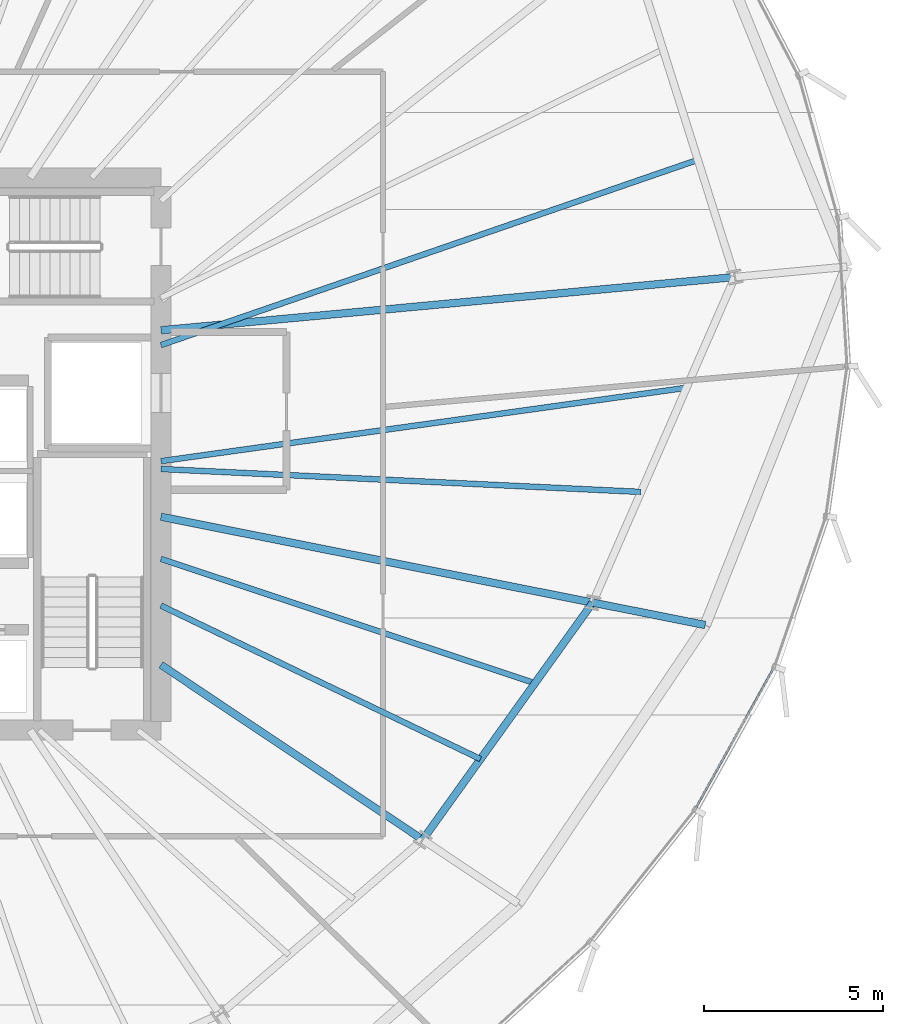
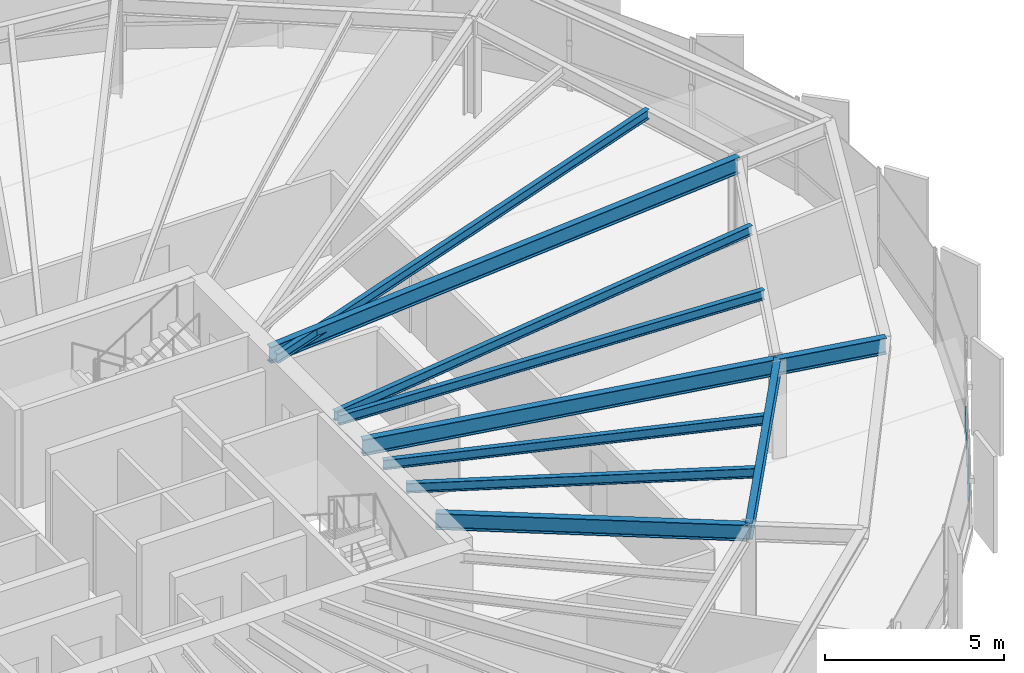
# One storey, part 15 of 35: 10 beams, 1 member, 1 element without a shape of its own.
"""IFC4 building model written with IfcOpenShell, lengths in metres."""

from ifc_helpers import new_model, si_unit, direction, frame, origin, origin_2d, place, context, subcontext, project, spatial, hollow_rectangle, i_section, extrude, source, transform, mapped, material, layer, layer_set, material_profile, profile_set, type_object, element, aggregate, save


model = new_model("IFC4")

# Units and contexts
model_context = context("Model", 3, precision=1e-05, world=origin(), true_north=direction((0.0, 1.0)))
body_context = subcontext(model_context, "Body", "Model", "MODEL_VIEW")
ifc_project = project(units=[si_unit("LENGTHUNIT", "METRE"), si_unit("AREAUNIT", "SQUARE_METRE"), si_unit("VOLUMEUNIT", "CUBIC_METRE"), si_unit("PLANEANGLEUNIT", "RADIAN"), si_unit("MASSUNIT", "GRAM", prefix="KILO"), si_unit("THERMODYNAMICTEMPERATUREUNIT", "KELVIN")], contexts=[model_context])

# Site, building, storey
site_placement = place(None, origin())
site = spatial("IfcSite", under=ifc_project, at=site_placement, CompositionType="ELEMENT")
building_placement = place(site_placement, origin())
building = spatial("IfcBuilding", under=site, at=building_placement, Name="Kethvar Cultural Tower", CompositionType="ELEMENT")
storey_placement = place(building_placement, frame((0.0, 0.0, 121.60009765625)))
storey = spatial("IfcBuildingStorey", under=building, at=storey_placement, Name="L30", CompositionType="ELEMENT", Elevation=121.60009765625)

# Beams
ifc_material_1 = material(Name="Steel S355J2", Category="steel")
ifc_material_profile_1 = material_profile(ifc_material_1, i_section(OverallWidth=0.2099609375, OverallDepth=0.550048828125, WebThickness=0.010986328125, FlangeThickness=0.01708984375, FilletRadius=0.02392578125, at=origin_2d()), Name="Steel S355J2 — IPE550")
ifc_profile_set_1 = profile_set([ifc_material_profile_1], Name="Steel S355J2 — IPE550")
beam_type_1 = type_object("IfcBeamType", Name="BM-IPE550", PredefinedType="BEAM", material=ifc_profile_set_1)
shared_shape_1 = source(origin(), body_context, "Body", "SweptSolid", [
    extrude(i_section(OverallWidth=0.2099609375, OverallDepth=0.550048828125, WebThickness=0.010986328125, FlangeThickness=0.01708984375, FilletRadius=0.02392578125, at=origin_2d()), origin(), (0.0, 0.0, 1.0), 16.071044921875),
])
beam_1_placement = place(storey_placement, frame((55.60009765625, 31.25, 3.072998046875), z_axis=(0.995731009363, 0.092302529718, 0.0), x_axis=(-0.092302529718, 0.995731009363, 0.0)))
element("IfcBeam", 1, at=beam_1_placement, inside=storey, type_object=beam_type_1, Name="L30 Primary Radial Beam RB-01", PredefinedType="BEAM", context=body_context, shape_type="MappedRepresentation", body=[
    mapped(shared_shape_1, transform((0.0, 0.0, 0.0), scale=1.0)),
])
shared_shape_2 = source(origin(), body_context, "Body", "SweptSolid", [
    extrude(i_section(OverallWidth=0.2099609375, OverallDepth=0.550048828125, WebThickness=0.010986328125, FlangeThickness=0.01708984375, FilletRadius=0.02392578125, at=origin_2d()), origin(), (0.0, 0.0, 1.0), 3.199951171875),
])
beam_2_placement = place(storey_placement, frame((67.638671875, 23.65478515625, 3.072998046875), z_axis=(0.980785550224, -0.195088965533, 0.0), x_axis=(0.195088965533, 0.980785550224, 0.0)))
element("IfcBeam", 2, at=beam_2_placement, inside=storey, type_object=beam_type_1, Name="L30 Perimeter Cantilever Beam RC-16", PredefinedType="BEAM", context=body_context, shape_type="MappedRepresentation", body=[
    mapped(shared_shape_2, transform((0.0, 0.0, 0.0), scale=1.0)),
])
shared_shape_3 = source(origin(), body_context, "Body", "SweptSolid", [
    extrude(i_section(OverallWidth=0.2099609375, OverallDepth=0.550048828125, WebThickness=0.010986328125, FlangeThickness=0.01708984375, FilletRadius=0.02392578125, at=origin_2d()), origin(), (0.0, 0.0, 1.0), 8.77783203125),
])
beam_3_placement = place(storey_placement, frame((55.60009765625, 21.919921875, 3.072998046875), z_axis=(0.831472186778, -0.555566380026, 0.0), x_axis=(0.555566380026, 0.831472186778, 0.0)))
element("IfcBeam", 3, at=beam_3_placement, inside=storey, type_object=beam_type_1, Name="L30 Primary Radial Beam RB-15", PredefinedType="BEAM", context=body_context, shape_type="MappedRepresentation", body=[
    mapped(shared_shape_3, transform((0.0, 0.0, 0.0), scale=1.0)),
])
shared_shape_4 = source(origin(), body_context, "Body", "SweptSolid", [
    extrude(i_section(OverallWidth=0.2099609375, OverallDepth=0.550048828125, WebThickness=0.010986328125, FlangeThickness=0.01708984375, FilletRadius=0.02392578125, at=origin_2d()), origin(), (0.0, 0.0, 1.0), 12.2744140625),
])
beam_4_placement = place(storey_placement, frame((55.60009765625, 26.049560546875, 3.072998046875), z_axis=(0.980782878234, -0.195102398146, 0.0), x_axis=(0.195102398146, 0.980782878234, 0.0)))
element("IfcBeam", 4, at=beam_4_placement, inside=storey, type_object=beam_type_1, Name="L30 Primary Radial Beam RB-16", PredefinedType="BEAM", context=body_context, shape_type="MappedRepresentation", body=[
    mapped(shared_shape_4, transform((0.0, 0.0, 0.0), scale=1.0)),
])
ifc_material_profile_2 = material_profile(ifc_material_1, i_section(OverallWidth=0.159912109375, OverallDepth=0.330078125, WebThickness=0.007568359375, FlangeThickness=0.011474609375, FilletRadius=0.01806640625, at=origin_2d()), Name="Steel S355J2 — IPE330")
ifc_profile_set_2 = profile_set([ifc_material_profile_2], Name="Steel S355J2 — IPE330")
beam_type_2 = type_object("IfcBeamType", Name="BM-J330", PredefinedType="JOIST", material=ifc_profile_set_2)
shared_shape_5 = source(origin(), body_context, "Body", "SweptSolid", [
    extrude(i_section(OverallWidth=0.159912109375, OverallDepth=0.330078125, WebThickness=0.007568359375, FlangeThickness=0.011474609375, FilletRadius=0.01806640625, at=origin_2d()), origin(), (0.0, 0.0, 1.0), 15.836669921875),
])
beam_5_placement = place(storey_placement, frame((55.60009765625, 30.836181640625, 3.182861328125), z_axis=(0.945315135904, 0.326158387644, 0.0), x_axis=(-0.326158387644, 0.945315135904, 0.0)))
element("IfcBeam", 5, at=beam_5_placement, inside=storey, type_object=beam_type_2, Name="L30 Composite Floor Joist J-01A", PredefinedType="JOIST", context=body_context, shape_type="MappedRepresentation", body=[
    mapped(shared_shape_5, transform((0.0, 0.0, 0.0), scale=1.0)),
])
shared_shape_6 = source(origin(), body_context, "Body", "SweptSolid", [
    extrude(i_section(OverallWidth=0.2099609375, OverallDepth=0.550048828125, WebThickness=0.010986328125, FlangeThickness=0.01708984375, FilletRadius=0.02392578125, at=origin_2d()), origin(), (0.0, 0.0, 1.0), 8.13525390625),
])
beam_6_placement = place(storey_placement, frame((62.898681640625, 17.043212890625, 3.072998046875), z_axis=(0.582656731995, 0.812718359988, 0.0), x_axis=(-0.812718359988, 0.582656731995, 0.0)))
element("IfcBeam", 6, at=beam_6_placement, inside=storey, type_object=beam_type_1, Name="L30 Column Ring Tie Beam CR-15", PredefinedType="BEAM", context=body_context, shape_type="MappedRepresentation", body=[
    mapped(shared_shape_6, transform((0.0, 0.0, 0.0), scale=1.0)),
])
shared_shape_7 = source(origin(), body_context, "Body", "SweptSolid", [
    extrude(i_section(OverallWidth=0.159912109375, OverallDepth=0.330078125, WebThickness=0.007568359375, FlangeThickness=0.011474609375, FilletRadius=0.01806640625, at=origin_2d()), origin(), (0.0, 0.0, 1.0), 9.885009765625),
])
beam_7_placement = place(storey_placement, frame((55.60009765625, 23.572021484375, 3.182861328125), z_axis=(0.901369611334, -0.43305060185, 0.0), x_axis=(0.43305060185, 0.901369611334, 0.0)))
element("IfcBeam", 7, at=beam_7_placement, inside=storey, type_object=beam_type_2, Name="L30 Composite Floor Joist J-15A", PredefinedType="JOIST", context=body_context, shape_type="MappedRepresentation", body=[
    mapped(shared_shape_7, transform((0.0, 0.0, 0.0), scale=1.0)),
])
shared_shape_8 = source(origin(), body_context, "Body", "SweptSolid", [
    extrude(i_section(OverallWidth=0.159912109375, OverallDepth=0.330078125, WebThickness=0.007568359375, FlangeThickness=0.011474609375, FilletRadius=0.01806640625, at=origin_2d()), origin(), (0.0, 0.0, 1.0), 10.98828125),
])
beam_8_placement = place(storey_placement, frame((55.60009765625, 24.8740234375, 3.182861328125), z_axis=(0.948918548228, -0.315521138481, 0.0), x_axis=(0.315521138481, 0.948918548228, 0.0)))
element("IfcBeam", 8, at=beam_8_placement, inside=storey, type_object=beam_type_2, Name="L30 Composite Floor Joist J-15B", PredefinedType="JOIST", context=body_context, shape_type="MappedRepresentation", body=[
    mapped(shared_shape_8, transform((0.0, 0.0, 0.0), scale=1.0)),
])
shared_shape_9 = source(origin(), body_context, "Body", "SweptSolid", [
    extrude(i_section(OverallWidth=0.159912109375, OverallDepth=0.330078125, WebThickness=0.007568359375, FlangeThickness=0.011474609375, FilletRadius=0.01806640625, at=origin_2d()), origin(), (0.0, 0.0, 1.0), 13.4013671875),
])
beam_9_placement = place(storey_placement, frame((55.60009765625, 27.380126953125, 3.182861328125), z_axis=(0.998864631653, -0.047638719894, 0.0), x_axis=(0.047638719894, 0.998864631653, 0.0)))
element("IfcBeam", 9, at=beam_9_placement, inside=storey, type_object=beam_type_2, Name="L30 Composite Floor Joist J-16A", PredefinedType="JOIST", context=body_context, shape_type="MappedRepresentation", body=[
    mapped(shared_shape_9, transform((0.0, 0.0, 0.0), scale=1.0)),
])
shared_shape_10 = source(origin(), body_context, "Body", "SweptSolid", [
    extrude(i_section(OverallWidth=0.159912109375, OverallDepth=0.330078125, WebThickness=0.007568359375, FlangeThickness=0.011474609375, FilletRadius=0.01806640625, at=origin_2d()), origin(), (0.0, 0.0, 1.0), 14.797119140625),
])
beam_10_placement = place(storey_placement, frame((55.60009765625, 27.60009765625, 3.182861328125), z_axis=(0.990388450305, 0.138313836986, 0.0), x_axis=(-0.138313836986, 0.990388450305, 0.0)))
element("IfcBeam", 10, at=beam_10_placement, inside=storey, type_object=beam_type_2, Name="L30 Composite Floor Joist J-16B", PredefinedType="JOIST", context=body_context, shape_type="MappedRepresentation", body=[
    mapped(shared_shape_10, transform((0.0, 0.0, 0.0), scale=1.0)),
])

# Curtain wall, member
ifc_material_2 = material(Name="Aluminium 6063-T6", Category="aluminium")
ifc_layer = layer(ifc_material_2, 0.179931640625, Name="Aluminium 6063-T6", Category="aluminium")
ifc_layer_set = layer_set([ifc_layer], Name="Aluminium 6063-T6 (180 mm)")
curtain_wall_type = type_object("IfcCurtainWallType", Name="CW-SYS-03-Z2", PredefinedType="NOTDEFINED", material=ifc_layer_set)
curtain_wall_placement = place(storey_placement, origin())
curtain_wall = element("IfcCurtainWall", 11, at=curtain_wall_placement, inside=storey, type_object=curtain_wall_type, Name="L30 Curtain Wall Run 06", PredefinedType="NOTDEFINED")
ifc_material_profile_3 = material_profile(ifc_material_2, hollow_rectangle(XDim=0.054931640625, YDim=0.1201171875, WallThickness=0.00390625, at=origin_2d()), Name="Aluminium 6063-T6 — RHS120x55x4")
ifc_profile_set_3 = profile_set([ifc_material_profile_3], Name="Aluminium 6063-T6 — RHS120x55x4")
member_type = type_object("IfcMemberType", Name="CW-SYS-03-Z2-TRN", PredefinedType="USERDEFINED", material=ifc_profile_set_3)
shared_shape_11 = source(origin(), body_context, "Body", "SweptSolid", [
    extrude(hollow_rectangle(XDim=0.054931640625, YDim=0.1201171875, WallThickness=0.00390625, at=origin_2d()), origin(), (0.0, 0.0, 1.0), 4.48876953125),
])
member_placement = place(storey_placement, frame((70.51220703125, 17.92529296875, 0.949951171875), z_axis=(0.485647549183, 0.874154710547, 0.0), x_axis=(-0.874154710547, 0.485647549183, 0.0)))
member = element("IfcMember", 12, at=member_placement, type_object=member_type, Name="CW-L30-R06 Transom 5", ObjectType="TRANSOM", PredefinedType="USERDEFINED", context=body_context, shape_type="MappedRepresentation", body=[
    mapped(shared_shape_11, transform((0.0, 0.0, 0.0), scale=1.0)),
])
aggregate(curtain_wall, [member])

save(model, "model.ifc")
